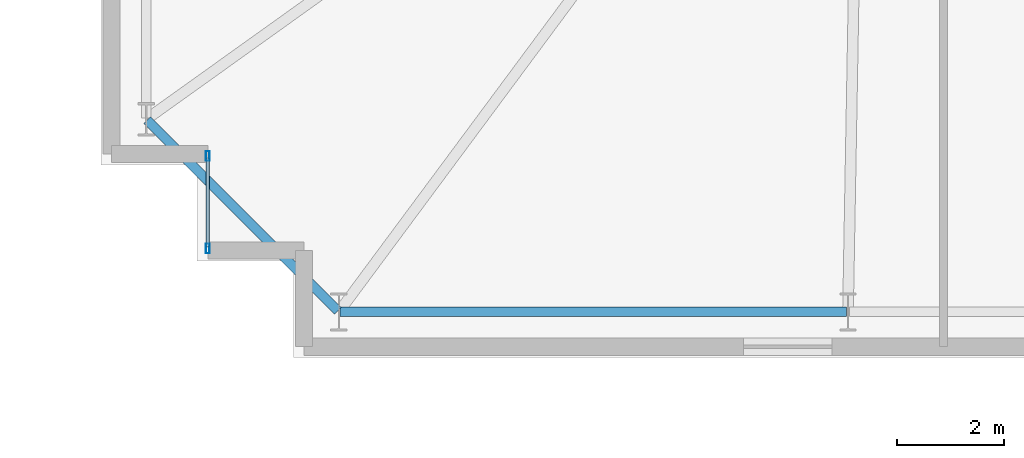
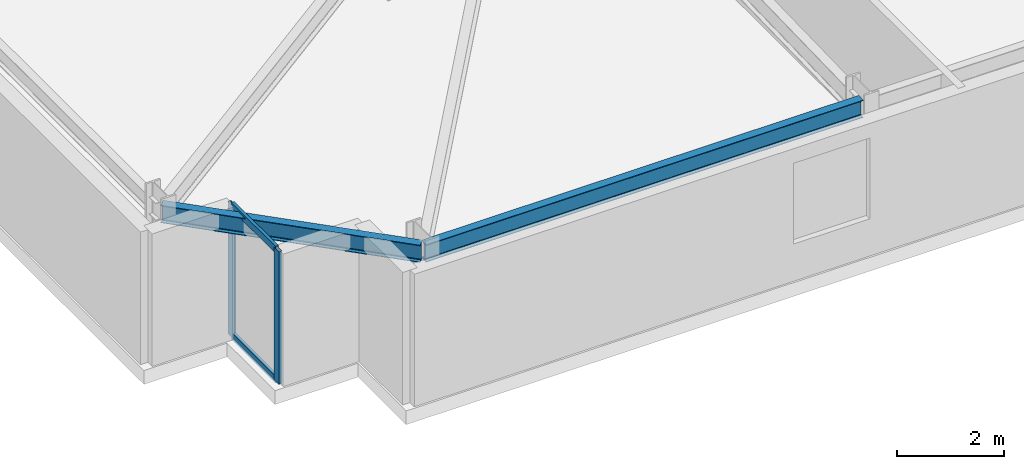
# One storey, part 4 of 26: 4 members, 2 beams, 1 element without a shape of its own.
"""IFC4 building model written with IfcOpenShell, lengths in metres."""

from ifc_helpers import new_model, si_unit, direction, frame, origin, origin_2d, place, context, subcontext, project, spatial, hollow_rectangle, i_section, extrude, material, layer, layer_set, material_profile, profile_set, type_object, element, aggregate, save


model = new_model("IFC4")

# Units and contexts
model_context = context("Model", 3, precision=1e-05, world=origin(), true_north=direction((0.0, 1.0)))
body_context = subcontext(model_context, "Body", "Model", "MODEL_VIEW")
ifc_project = project(units=[si_unit("LENGTHUNIT", "METRE"), si_unit("AREAUNIT", "SQUARE_METRE"), si_unit("VOLUMEUNIT", "CUBIC_METRE"), si_unit("PLANEANGLEUNIT", "RADIAN"), si_unit("MASSUNIT", "GRAM", prefix="KILO")], contexts=[model_context])

# Site, building, storey
site_placement = place(None, origin())
site = spatial("IfcSite", under=ifc_project, at=site_placement, CompositionType="ELEMENT")
building_placement = place(site_placement, origin())
building = spatial("IfcBuilding", under=site, at=building_placement, Name="Qobustan Lattice House", CompositionType="ELEMENT")
storey_placement = place(building_placement, frame((0.0, 0.0, 47.10009765625)))
storey = spatial("IfcBuildingStorey", under=building, at=storey_placement, Name="L12", CompositionType="ELEMENT", Elevation=47.10009765625)

# Beams
ifc_material_1 = material(Name="Steel S355", Category="steel")
ifc_material_profile_1 = material_profile(ifc_material_1, i_section(OverallWidth=0.179931640625, OverallDepth=0.39990234375, WebThickness=0.008544921875, FlangeThickness=0.013427734375, FilletRadius=0.02099609375, at=origin_2d()), Name="IPE400")
ifc_profile_set_1 = profile_set([ifc_material_profile_1], Name="Steel S355")
beam_type = type_object("IfcBeamType", Name="BM-SPD-IPE400", PredefinedType="SPANDREL", material=ifc_profile_set_1)
beam_1_placement = place(storey_placement, frame((-28.52490234375, -18.75, 2.8349609375), z_axis=(1.0, 0.0, 0.0), x_axis=(0.0, 1.0, 0.0)))
element("IfcBeam", 1, at=beam_1_placement, inside=storey, type_object=beam_type, Name="L12 perimeter spandrel S1-S2", PredefinedType="SPANDREL", context=body_context, shape_type="SweptSolid", body=[
    extrude(i_section(OverallWidth=0.179931640625, OverallDepth=0.39990234375, WebThickness=0.008544921875, FlangeThickness=0.013427734375, FilletRadius=0.02099609375, at=origin_2d()), origin(), (0.0, 0.0, 1.0), 9.466552734375),
])
beam_2_placement = place(storey_placement, frame((-32.13232421875, -15.167724609375, 2.8349609375), z_axis=(0.707106781187, -0.707106781187, 0.0), x_axis=(0.707106781187, 0.707106781187, 0.0)))
element("IfcBeam", 2, at=beam_2_placement, inside=storey, type_object=beam_type, Name="L12 perimeter spandrel W4-S1", PredefinedType="SPANDREL", context=body_context, shape_type="SweptSolid", body=[
    extrude(i_section(OverallWidth=0.179931640625, OverallDepth=0.39990234375, WebThickness=0.008544921875, FlangeThickness=0.013427734375, FilletRadius=0.02099609375, at=origin_2d()), origin(), (0.0, 0.0, 1.0), 5.041259765625),
])

# Curtain wall, members
ifc_material_2 = material(Name="Anodised aluminium and low-E glazing", Category="aluminium")
ifc_layer = layer(ifc_material_2, 0.219970703125)
ifc_layer_set = layer_set([ifc_layer], Name="Anodised aluminium and low-E glazing")
curtain_wall_type = type_object("IfcCurtainWallType", Name="CW-FAC-01", PredefinedType="USERDEFINED", material=ifc_layer_set)
curtain_wall_placement = place(storey_placement, origin())
curtain_wall = element("IfcCurtainWall", 3, at=curtain_wall_placement, inside=storey, type_object=curtain_wall_type, Name="L12 serrated corner faceted glazing 3", ObjectType="CURTAIN WALL", PredefinedType="USERDEFINED")
ifc_material_3 = material(Name="Anodised aluminium EN AW-6063 T6", Category="aluminium")
ifc_material_profile_2 = material_profile(ifc_material_3, hollow_rectangle(XDim=0.070068359375, YDim=0.179931640625, WallThickness=0.00439453125, at=origin_2d()), Name="CWM-180x70")
ifc_profile_set_2 = profile_set([ifc_material_profile_2], Name="Anodised aluminium EN AW-6063 T6")
member_type_1 = type_object("IfcMemberType", Name="CWM-STD-180", PredefinedType="MULLION", material=ifc_profile_set_2)
member_1_placement = place(storey_placement, frame((-31.0, -17.56494140625, 0.0), z_axis=(0.0, 0.0, 1.0), x_axis=(-1.0, 0.0, 0.0)))
member_1 = element("IfcMember", 4, at=member_1_placement, type_object=member_type_1, Name="CW-F1 mullion 1", PredefinedType="MULLION", context=body_context, shape_type="SweptSolid", body=[
    extrude(hollow_rectangle(XDim=0.070068359375, YDim=0.179931640625, WallThickness=0.00439453125, at=origin_2d()), origin(), (0.0, 0.0, 1.0), 3.034912109375),
])
member_2_placement = place(storey_placement, frame((-31.0, -15.8349609375, 0.0), z_axis=(0.0, 0.0, 1.0), x_axis=(-1.0, 0.0, 0.0)))
member_2 = element("IfcMember", 5, at=member_2_placement, type_object=member_type_1, Name="CW-F1 mullion 2", PredefinedType="MULLION", context=body_context, shape_type="SweptSolid", body=[
    extrude(hollow_rectangle(XDim=0.070068359375, YDim=0.179931640625, WallThickness=0.00439453125, at=origin_2d()), origin(), (0.0, 0.0, 1.0), 3.034912109375),
])
ifc_material_4 = material(Name="Anodised aluminium EN AW-6063 T6", Category="aluminium")
ifc_material_profile_3 = material_profile(ifc_material_4, hollow_rectangle(XDim=0.06494140625, YDim=0.159912109375, WallThickness=0.00390625, at=origin_2d()), Name="CWT-160x65")
ifc_profile_set_3 = profile_set([ifc_material_profile_3], Name="Anodised aluminium EN AW-6063 T6")
member_type_2 = type_object("IfcMemberType", Name="CWT-HOR-160", PredefinedType="USERDEFINED", material=ifc_profile_set_3)
member_3_placement = place(storey_placement, frame((-31.0, -17.530029296875, 0.032470703125), z_axis=(0.0, 1.0, 0.0), x_axis=(-1.0, 0.0, 0.0)))
member_3 = element("IfcMember", 6, at=member_3_placement, type_object=member_type_2, Name="CW-F1 transom 1.1", ObjectType="TRANSOM", PredefinedType="USERDEFINED", context=body_context, shape_type="SweptSolid", body=[
    extrude(hollow_rectangle(XDim=0.06494140625, YDim=0.159912109375, WallThickness=0.00390625, at=origin_2d()), origin(), (0.0, 0.0, 1.0), 1.659912109375),
])
member_4_placement = place(storey_placement, frame((-31.0, -17.530029296875, 3.00244140625), z_axis=(0.0, 1.0, 0.0), x_axis=(-1.0, 0.0, 0.0)))
member_4 = element("IfcMember", 7, at=member_4_placement, type_object=member_type_2, Name="CW-F1 transom 1.2", ObjectType="TRANSOM", PredefinedType="USERDEFINED", context=body_context, shape_type="SweptSolid", body=[
    extrude(hollow_rectangle(XDim=0.06494140625, YDim=0.159912109375, WallThickness=0.00390625, at=origin_2d()), origin(), (0.0, 0.0, 1.0), 1.659912109375),
])
aggregate(curtain_wall, [member_1, member_2, member_3, member_4])

save(model, "model.ifc")
